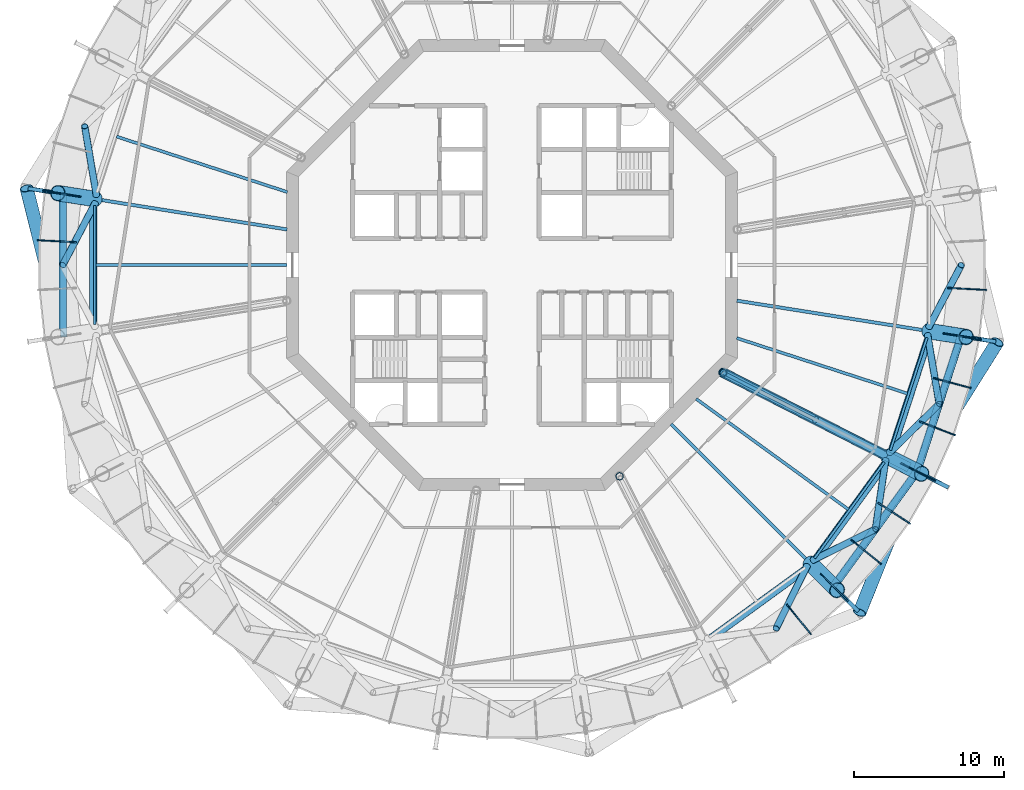
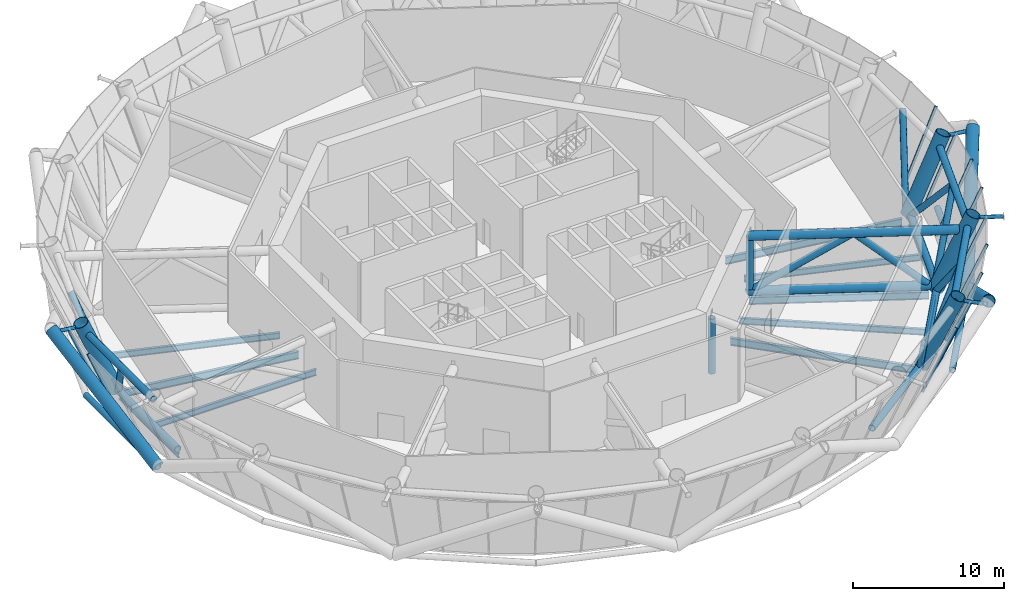
# One storey, part 3 of 20: 46 members, 11 beams, 5 elements without a shape of their own.
"""IFC4 building model written with IfcOpenShell, lengths in metres."""

from ifc_helpers import new_model, si_unit, direction, frame, origin, origin_2d, place, context, subcontext, project, spatial, rectangle, circle, hollow_circle, i_section, extrude, material, layer, layer_set, material_profile, profile_set, type_object, element, aggregate, save


model = new_model("IFC4")

# Units and contexts
model_context = context("Model", 3, precision=1e-05, world=origin(), true_north=direction((0.0, 1.0)))
body_context = subcontext(model_context, "Body", "Model", "MODEL_VIEW")
ifc_project = project(units=[si_unit("LENGTHUNIT", "METRE"), si_unit("AREAUNIT", "SQUARE_METRE"), si_unit("VOLUMEUNIT", "CUBIC_METRE"), si_unit("PLANEANGLEUNIT", "RADIAN"), si_unit("MASSUNIT", "GRAM", prefix="KILO")], contexts=[model_context])

# Site, building, storey
site_placement = place(None, origin())
site = spatial("IfcSite", under=ifc_project, at=site_placement, CompositionType="ELEMENT")
building_placement = place(site_placement, origin())
building = spatial("IfcBuilding", under=site, at=building_placement, Name="Entoto Ring Tower", CompositionType="ELEMENT")
storey_placement = place(building_placement, frame((0.0, 0.0, 330.0)))
storey = spatial("IfcBuildingStorey", under=building, at=storey_placement, Name="L76", CompositionType="ELEMENT", Elevation=330.0)

# Members
ifc_material_1 = material(Name="Steel S355", Category="steel")
ifc_material_profile_1 = material_profile(ifc_material_1, hollow_circle(Radius=0.449951171875, WallThickness=0.044921875, at=origin_2d()), Name="CHS 900 x 45")
ifc_material_2 = material(Name="Concrete C60/75", Category="concrete")
ifc_material_profile_2 = material_profile(ifc_material_2, circle(Radius=0.405029296875, at=origin_2d()), Name="Concrete C60/75 infill")
ifc_profile_set_1 = profile_set([ifc_material_profile_1, ifc_material_profile_2], Name="Steel S355")
member_type_1 = type_object("IfcMemberType", Name="Diagrid diagonal 900 x 45 concrete-filled tube", PredefinedType="BRACE", material=ifc_profile_set_1)
for number, where, z_axis, x_axis, name in (
    (1, (60.171875, 75.275634765625, 0.0), (-0.209498607785, 0.834845945044, 0.509060488919), (-0.969926946461, -0.243396217162, 0.0), "DG2 module 25 11"),
    (2, (116.908447265625, 66.28955078125, 0.0), (-0.321230348917, -0.798539539663, 0.50906351915), (0.927747969086, -0.373207322886, 0.0), "DG2 module 25 19"),
):
    element("IfcMember", number, at=place(storey_placement, frame(where, z_axis=z_axis, x_axis=x_axis)), inside=storey, type_object=member_type_1, Name=name, PredefinedType="BRACE", context=body_context, shape_type="SweptSolid", body=[
        extrude(hollow_circle(Radius=0.449951171875, WallThickness=0.044921875, at=origin_2d()), origin(), (0.0, 0.0, 1.0), 11.786376953125),
    ])
member_1_placement = place(storey_placement, frame((116.908447265625, 66.28955078125, 0.0), z_axis=(0.457223459156, 0.729241692547, 0.509070979578), x_axis=(-0.847241662915, 0.531207647366, 0.0)))
element("IfcMember", 3, at=member_1_placement, inside=storey, type_object=member_type_1, Name="DG2 module 25 20", PredefinedType="BRACE", context=body_context, shape_type="SweptSolid", body=[
    extrude(hollow_circle(Radius=0.449951171875, WallThickness=0.044921875, at=origin_2d()), origin(), (0.0, 0.0, 1.0), 11.7861328125),
])
ifc_material_3 = material(Name="Steel S355", Category="steel")
ifc_material_profile_3 = material_profile(ifc_material_3, hollow_circle(Radius=0.136474609375, WallThickness=0.012451171875, at=origin_2d()), Name="CHS 273 x 12.5")
ifc_material_4 = material(Name="Concrete C60/75", Category="concrete")
ifc_material_profile_4 = material_profile(ifc_material_4, circle(Radius=0.1240234375, at=origin_2d()), Name="Concrete C60/75 infill")
ifc_profile_set_2 = profile_set([ifc_material_profile_3, ifc_material_profile_4], Name="Steel S355")
member_type_2 = type_object("IfcMemberType", Name="Diagrid node strut 273 x 12.5", PredefinedType="STRUT", material=ifc_profile_set_2)
for number, where, z_axis, x_axis, name in (
    (4, (59.395751953125, 84.84716796875, 5.71337890625), (-0.987674522223, 0.156521685883, 0.0), (-0.156521685883, -0.987674522223, 0.0), "DS2 strut ring 25 09"),
    (5, (111.91015625, 58.08984375, 5.71337890625), (0.707106781187, -0.707106781187, 0.0), (0.707106781187, 0.707106781187, 0.0), "DS2 strut ring 25 17"),
    (6, (117.6083984375, 65.932861328125, 5.71337890625), (0.891014106181, -0.453975618933, 0.0), (0.453975618933, 0.891014106181, 0.0), "DS2 strut ring 25 18"),
    (7, (120.604248046875, 75.15283203125, 5.71337890625), (0.987674522223, -0.156521685883, 0.0), (0.156521685883, 0.987674522223, 0.0), "DS2 strut ring 25 19"),
):
    element("IfcMember", number, at=place(storey_placement, frame(where, z_axis=z_axis, x_axis=x_axis)), inside=storey, type_object=member_type_2, Name=name, PredefinedType="STRUT", context=body_context, shape_type="SweptSolid", body=[
        extrude(hollow_circle(Radius=0.136474609375, WallThickness=0.012451171875, at=origin_2d()), origin(), (0.0, 0.0, 1.0), 1.614501953125),
    ])
ifc_material_5 = material(Name="Steel S355", Category="steel")
ifc_material_profile_5 = material_profile(ifc_material_5, hollow_circle(Radius=0.228515625, WallThickness=0.02001953125, at=origin_2d()), Name="CHS 457 x 20")
ifc_material_6 = material(Name="Concrete C60/75", Category="concrete")
ifc_material_profile_6 = material_profile(ifc_material_6, circle(Radius=0.20849609375, at=origin_2d()), Name="Concrete C60/75 infill")
ifc_profile_set_3 = profile_set([ifc_material_profile_5, ifc_material_profile_6], Name="Steel S355")
member_type_3 = type_object("IfcMemberType", Name="Diagrid ring beam 457 x 20", PredefinedType="CHORD", material=ifc_profile_set_3)
for number, where, z_axis, x_axis, name in (
    (8, (60.171875, 84.780517578125, 0.0), (0.0, -1.0, 0.0), (1.0, 0.0, 0.0), "DR3 ring 24 10"),
    (9, (111.321533203125, 58.599853515625, 0.0), (0.587784468219, 0.809017564037, 0.0), (-0.809017564037, 0.587784468219, 0.0), "DR3 ring 24 18"),
    (10, (116.89111328125, 66.236083984375, 0.0), (0.309002348931, 0.951061274764, 0.0), (-0.951061274764, 0.309002348931, 0.0), "DR3 ring 24 19"),
):
    element("IfcMember", number, at=place(storey_placement, frame(where, z_axis=z_axis, x_axis=x_axis)), inside=storey, type_object=member_type_3, Name=name, PredefinedType="CHORD", context=body_context, shape_type="SweptSolid", body=[
        extrude(hollow_circle(Radius=0.228515625, WallThickness=0.02001953125, at=origin_2d()), origin(), (0.0, 0.0, 1.0), 9.56103515625),
    ])

# Beams
ifc_material_7 = material(Name="Steel S355", Category="steel")
ifc_material_profile_7 = material_profile(ifc_material_7, i_section(OverallWidth=0.169921875, OverallDepth=0.360107421875, WebThickness=0.008056640625, FlangeThickness=0.0126953125, FilletRadius=0.01806640625, at=origin_2d()), Name="IPE 360")
ifc_profile_set_4 = profile_set([ifc_material_profile_7], Name="Steel S355")
beam_type_1 = type_object("IfcBeamType", Name="Edge beam IPE 360", PredefinedType="SPANDREL", material=ifc_profile_set_4)
beam_1_placement = place(storey_placement, frame((62.245849609375, 83.948486328125, -0.330078125), z_axis=(0.0, -1.0, 0.0), x_axis=(1.0, 0.0, 0.0)))
element("IfcBeam", 11, at=beam_1_placement, inside=storey, type_object=beam_type_1, Name="Edge beam L76 10", PredefinedType="SPANDREL", context=body_context, shape_type="SweptSolid", body=[
    extrude(i_section(OverallWidth=0.169921875, OverallDepth=0.360107421875, WebThickness=0.008056640625, FlangeThickness=0.0126953125, FilletRadius=0.01806640625, at=origin_2d()), origin(), (0.0, 0.0, 1.0), 7.89697265625),
])
beam_2_placement = place(storey_placement, frame((110.132568359375, 60.4921875, -0.330078125), z_axis=(0.587787449408, 0.809015398073, 0.0), x_axis=(-0.809015398073, 0.587787449408, 0.0)))
element("IfcBeam", 12, at=beam_2_placement, inside=storey, type_object=beam_type_1, Name="Edge beam L76 18", PredefinedType="SPANDREL", context=body_context, shape_type="SweptSolid", body=[
    extrude(i_section(OverallWidth=0.169921875, OverallDepth=0.360107421875, WebThickness=0.008056640625, FlangeThickness=0.0126953125, FilletRadius=0.01806640625, at=origin_2d()), origin(), (0.0, 0.0, 1.0), 7.897216796875),
])
beam_3_placement = place(storey_placement, frame((115.175537109375, 67.668212890625, -0.330078125), z_axis=(0.309002883506, 0.951061101079, 0.0), x_axis=(-0.951061101079, 0.309002883506, 0.0)))
element("IfcBeam", 13, at=beam_3_placement, inside=storey, type_object=beam_type_1, Name="Edge beam L76 19", PredefinedType="SPANDREL", context=body_context, shape_type="SweptSolid", body=[
    extrude(i_section(OverallWidth=0.169921875, OverallDepth=0.360107421875, WebThickness=0.008056640625, FlangeThickness=0.0126953125, FilletRadius=0.01806640625, at=origin_2d()), origin(), (0.0, 0.0, 1.0), 7.89697265625),
])

# Curtain wall, members
ifc_material_8 = material(Name="Anodised aluminium", Category="aluminium")
ifc_layer = layer(ifc_material_8, 0.10009765625)
ifc_layer_set = layer_set([ifc_layer], Name="Anodised aluminium")
curtain_wall_type = type_object("IfcCurtainWallType", Name="Louvre curtain wall system CW7", PredefinedType="NOTDEFINED", material=ifc_layer_set)
curtain_wall_1_placement = place(storey_placement, origin())
curtain_wall_1 = element("IfcCurtainWall", 14, at=curtain_wall_1_placement, inside=storey, type_object=curtain_wall_type, Name="CW7 L76-10", PredefinedType="NOTDEFINED")
ifc_material_9 = material(Name="Anodised aluminium", Category="aluminium")
ifc_material_profile_8 = material_profile(ifc_material_9, rectangle(XDim=0.080078125, YDim=0.199951171875, at=origin_2d()), Name="Mullion 80 x 200 mm anodised aluminium")
ifc_profile_set_5 = profile_set([ifc_material_profile_8], Name="Anodised aluminium")
member_type_4 = type_object("IfcMemberType", Name="Mullion 80 x 200 mm anodised aluminium", PredefinedType="MULLION", material=ifc_profile_set_5)
member_2_placement = place(storey_placement, frame((61.234130859375, 84.55615234375, 0.03857421875), z_axis=(-0.379873712431, 0.060156755817, 0.923080238838), x_axis=(-0.156410801358, -0.987692088264, 0.0)))
member_2 = element("IfcMember", 15, at=member_2_placement, type_object=member_type_4, Name="MULLION L76-27", PredefinedType="MULLION", context=body_context, shape_type="SweptSolid", body=[
    extrude(rectangle(XDim=0.080078125, YDim=0.199951171875, at=origin_2d()), origin(), (0.0, 0.0, 1.0), 6.25390625),
])
member_3_placement = place(storey_placement, frame((60.91552734375, 81.524169921875, 0.03857421875), z_axis=(-0.3840882574, 0.020143260577, 0.923076627145), x_axis=(-0.052372380789, -0.998627625159, 0.0)))
member_3 = element("IfcMember", 16, at=member_3_placement, type_object=member_type_4, Name="MULLION L76-28", PredefinedType="MULLION", context=body_context, shape_type="SweptSolid", body=[
    extrude(rectangle(XDim=0.080078125, YDim=0.199951171875, at=origin_2d()), origin(), (0.0, 0.0, 1.0), 6.254150390625),
])
aggregate(curtain_wall_1, [member_2, member_3])

# Curtain wall, member
curtain_wall_2_placement = place(storey_placement, origin())
curtain_wall_2 = element("IfcCurtainWall", 17, at=curtain_wall_2_placement, inside=storey, type_object=curtain_wall_type, Name="CW7 L76-17", PredefinedType="NOTDEFINED")
member_4_placement = place(storey_placement, frame((108.32861328125, 57.3662109375, 0.03857421875), z_axis=(0.242031891748, -0.298909386308, 0.923078405204), x_axis=(0.777171592091, 0.629288738535, 0.0)))
member_4 = element("IfcMember", 18, at=member_4_placement, type_object=member_type_4, Name="MULLION L76-50", PredefinedType="MULLION", context=body_context, shape_type="SweptSolid", body=[
    extrude(rectangle(XDim=0.080078125, YDim=0.199951171875, at=origin_2d()), origin(), (0.0, 0.0, 1.0), 6.25390625),
])
aggregate(curtain_wall_2, [member_4])

# Curtain wall, members
curtain_wall_3_placement = place(storey_placement, origin())
curtain_wall_3 = element("IfcCurtainWall", 19, at=curtain_wall_3_placement, inside=storey, type_object=curtain_wall_type, Name="CW7 L76-18", PredefinedType="NOTDEFINED")
member_5_placement = place(storey_placement, frame((110.593994140625, 59.406005859375, 0.03857421875), z_axis=(0.271971811529, -0.271971811529, 0.923072406405), x_axis=(0.707106781187, 0.707106781187, 0.0)))
member_5 = element("IfcMember", 20, at=member_5_placement, type_object=member_type_4, Name="MULLION L76-51", PredefinedType="MULLION", context=body_context, shape_type="SweptSolid", body=[
    extrude(rectangle(XDim=0.080078125, YDim=0.199951171875, at=origin_2d()), origin(), (0.0, 0.0, 1.0), 6.254150390625),
])
member_6_placement = place(storey_placement, frame((112.6337890625, 61.67138671875, 0.03857421875), z_axis=(0.298909386308, -0.242031891748, 0.923078405204), x_axis=(0.629288738535, 0.777171592091, 0.0)))
member_6 = element("IfcMember", 21, at=member_6_placement, type_object=member_type_4, Name="MULLION L76-52", PredefinedType="MULLION", context=body_context, shape_type="SweptSolid", body=[
    extrude(rectangle(XDim=0.080078125, YDim=0.199951171875, at=origin_2d()), origin(), (0.0, 0.0, 1.0), 6.25390625),
])
member_7_placement = place(storey_placement, frame((114.42578125, 64.1376953125, 0.03857421875), z_axis=(0.322565689083, -0.209474462982, 0.923077367064), x_axis=(0.544635112654, 0.838673115143, 0.0)))
member_7 = element("IfcMember", 22, at=member_7_placement, type_object=member_type_4, Name="MULLION L76-53", PredefinedType="MULLION", context=body_context, shape_type="SweptSolid", body=[
    extrude(rectangle(XDim=0.080078125, YDim=0.199951171875, at=origin_2d()), origin(), (0.0, 0.0, 1.0), 6.25390625),
])
aggregate(curtain_wall_3, [member_5, member_6, member_7])

curtain_wall_4_placement = place(storey_placement, origin())
curtain_wall_4 = element("IfcCurtainWall", 23, at=curtain_wall_4_placement, inside=storey, type_object=curtain_wall_type, Name="CW7 L76-19", PredefinedType="NOTDEFINED")
member_8_placement = place(storey_placement, frame((115.949951171875, 66.77783203125, 0.03857421875), z_axis=(0.342707021712, -0.174613111757, 0.923072130698), x_axis=(0.453980514773, 0.891011611713, 0.0)))
member_8 = element("IfcMember", 24, at=member_8_placement, type_object=member_type_4, Name="MULLION L76-54", PredefinedType="MULLION", context=body_context, shape_type="SweptSolid", body=[
    extrude(rectangle(XDim=0.080078125, YDim=0.199951171875, at=origin_2d()), origin(), (0.0, 0.0, 1.0), 6.254150390625),
])
member_9_placement = place(storey_placement, frame((117.18994140625, 69.562744140625, 0.03857421875), z_axis=(0.359065607861, -0.137840906866, 0.92307733893), x_axis=(0.358387287841, 0.933573002991, 0.0)))
member_9 = element("IfcMember", 25, at=member_9_placement, type_object=member_type_4, Name="MULLION L76-55", PredefinedType="MULLION", context=body_context, shape_type="SweptSolid", body=[
    extrude(rectangle(XDim=0.080078125, YDim=0.199951171875, at=origin_2d()), origin(), (0.0, 0.0, 1.0), 6.25390625),
])
member_10_placement = place(storey_placement, frame((118.132080078125, 72.462158203125, 0.03857421875), z_axis=(0.371517215719, -0.099544909119, 0.923074086676), x_axis=(0.258812183003, 0.965927664957, 0.0)))
member_10 = element("IfcMember", 26, at=member_10_placement, type_object=member_type_4, Name="MULLION L76-56", PredefinedType="MULLION", context=body_context, shape_type="SweptSolid", body=[
    extrude(rectangle(XDim=0.080078125, YDim=0.199951171875, at=origin_2d()), origin(), (0.0, 0.0, 1.0), 6.254150390625),
])
aggregate(curtain_wall_4, [member_8, member_9, member_10])

curtain_wall_5_placement = place(storey_placement, origin())
curtain_wall_5 = element("IfcCurtainWall", 27, at=curtain_wall_5_placement, inside=storey, type_object=curtain_wall_type, Name="CW7 L76-20", PredefinedType="NOTDEFINED")
member_11_placement = place(storey_placement, frame((118.765869140625, 75.44384765625, 0.03857421875), z_axis=(0.379873712431, -0.060156755817, 0.923080238838), x_axis=(0.156410801358, 0.987692088264, 0.0)))
member_11 = element("IfcMember", 28, at=member_11_placement, type_object=member_type_4, Name="MULLION L76-57", PredefinedType="MULLION", context=body_context, shape_type="SweptSolid", body=[
    extrude(rectangle(XDim=0.080078125, YDim=0.199951171875, at=origin_2d()), origin(), (0.0, 0.0, 1.0), 6.25390625),
])
member_12_placement = place(storey_placement, frame((119.08447265625, 78.475830078125, 0.03857421875), z_axis=(0.3840882574, -0.020143260577, 0.923076627145), x_axis=(0.052372380789, 0.998627625159, 0.0)))
member_12 = element("IfcMember", 29, at=member_12_placement, type_object=member_type_4, Name="MULLION L76-58", PredefinedType="MULLION", context=body_context, shape_type="SweptSolid", body=[
    extrude(rectangle(XDim=0.080078125, YDim=0.199951171875, at=origin_2d()), origin(), (0.0, 0.0, 1.0), 6.254150390625),
])
aggregate(curtain_wall_5, [member_11, member_12])

# Members
ifc_material_10 = material(Name="Steel S355", Category="steel")
ifc_material_profile_9 = material_profile(ifc_material_10, hollow_circle(Radius=0.330078125, WallThickness=0.031982421875, at=origin_2d()), Name="CHS 660 x 32")
ifc_material_11 = material(Name="Concrete C60/75", Category="concrete")
ifc_material_profile_10 = material_profile(ifc_material_11, circle(Radius=0.298095703125, at=origin_2d()), Name="Concrete C60/75 infill")
ifc_profile_set_6 = profile_set([ifc_material_profile_9, ifc_material_profile_10], Name="Steel S355")
member_type_5 = type_object("IfcMemberType", Name="Outrigger chord 660 x 32", PredefinedType="CHORD", material=ifc_profile_set_6)
member_13_placement = place(storey_placement, frame((103.939453125, 72.8974609375, 0.330078125), z_axis=(0.891003212589, -0.453996999061, 0.0), x_axis=(0.453996999061, 0.891003212589, 0.0)))
element("IfcMember", 30, at=member_13_placement, inside=storey, type_object=member_type_5, Name="OR1C L76 bottom 10", PredefinedType="CHORD", context=body_context, shape_type="SweptSolid", body=[
    extrude(hollow_circle(Radius=0.330078125, WallThickness=0.031982421875, at=origin_2d()), origin(), (0.0, 0.0, 1.0), 12.170654296875),
])
member_14_placement = place(storey_placement, frame((103.939453125, 72.8974609375, 4.76708984375), z_axis=(0.891012650005, -0.453978476947, 0.0), x_axis=(0.453978476947, 0.891012650005, 0.0)))
element("IfcMember", 31, at=member_14_placement, inside=storey, type_object=member_type_5, Name="OR1C L76 top 10", PredefinedType="CHORD", context=body_context, shape_type="SweptSolid", body=[
    extrude(hollow_circle(Radius=0.330078125, WallThickness=0.031982421875, at=origin_2d()), origin(), (0.0, 0.0, 1.0), 14.019287109375),
])
ifc_material_12 = material(Name="Steel S355", Category="steel")
ifc_material_profile_11 = material_profile(ifc_material_12, hollow_circle(Radius=0.25390625, WallThickness=0.030029296875, at=origin_2d()), Name="CHS 508 x 30")
ifc_material_13 = material(Name="Concrete C60/75", Category="concrete")
ifc_material_profile_12 = material_profile(ifc_material_13, circle(Radius=0.22412109375, at=origin_2d()), Name="Concrete C60/75 infill")
ifc_profile_set_7 = profile_set([ifc_material_profile_11, ifc_material_profile_12], Name="Steel S355")
member_type_6 = type_object("IfcMemberType", Name="Outrigger diagonal 508 x 30", PredefinedType="BRACE", material=ifc_profile_set_7)
member_15_placement = place(storey_placement, frame((103.89501953125, 72.920166015625, 0.216064453125), z_axis=(0.749255528325, -0.381783852649, 0.541162861929), x_axis=(0.454008524746, 0.890997339759, 0.0)))
element("IfcMember", 32, at=member_15_placement, inside=storey, type_object=member_type_6, Name="OR2B L76 10 1", PredefinedType="BRACE", context=body_context, shape_type="SweptSolid", body=[
    extrude(hollow_circle(Radius=0.25390625, WallThickness=0.030029296875, at=origin_2d()), origin(), (0.0, 0.0, 1.0), 8.40966796875),
])
member_16_placement = place(storey_placement, frame((110.196044921875, 69.70947265625, 4.76708984375), z_axis=(0.669119236273, -0.340906756694, -0.660349930635), x_axis=(0.453962460183, 0.8910208105, 0.0)))
element("IfcMember", 33, at=member_16_placement, inside=storey, type_object=member_type_6, Name="OR2B L76 10 2", PredefinedType="BRACE", context=body_context, shape_type="SweptSolid", body=[
    extrude(hollow_circle(Radius=0.25390625, WallThickness=0.030029296875, at=origin_2d()), origin(), (0.0, 0.0, 1.0), 6.904296875),
])
ifc_material_14 = material(Name="Steel S355", Category="steel")
ifc_material_profile_13 = material_profile(ifc_material_14, hollow_circle(Radius=0.25390625, WallThickness=0.030029296875, at=origin_2d()), Name="CHS 508 x 30")
ifc_material_15 = material(Name="Concrete C60/75", Category="concrete")
ifc_material_profile_14 = material_profile(ifc_material_15, circle(Radius=0.22412109375, at=origin_2d()), Name="Concrete C60/75 infill")
ifc_profile_set_8 = profile_set([ifc_material_profile_13, ifc_material_profile_14], Name="Steel S355")
member_type_7 = type_object("IfcMemberType", Name="Outrigger post 508 x 30", PredefinedType="POST", material=ifc_profile_set_8)
for number, where, z_axis, x_axis, name in (
    (34, (97.160400390625, 65.947021484375, 0.330078125), (0.0, 0.0, 1.0), (1.0, 0.0, 0.0), "OR3 L76 09"),
    (35, (104.052978515625, 72.839599609375, 0.330078125), (0.0, 0.0, 1.0), (1.0, 0.0, 0.0), "OR3 L76 10"),
):
    element("IfcMember", number, at=place(storey_placement, frame(where, z_axis=z_axis, x_axis=x_axis)), inside=storey, type_object=member_type_7, Name=name, PredefinedType="POST", context=body_context, shape_type="SweptSolid", body=[
        extrude(hollow_circle(Radius=0.25390625, WallThickness=0.030029296875, at=origin_2d()), origin(), (0.0, 0.0, 1.0), 4.43701171875),
    ])

# Beams
ifc_material_16 = material(Name="Steel S355", Category="steel")
ifc_material_profile_15 = material_profile(ifc_material_16, i_section(OverallWidth=0.219970703125, OverallDepth=0.60009765625, WebThickness=0.011962890625, FlangeThickness=0.01904296875, FilletRadius=0.02392578125, at=origin_2d()), Name="IPE 600")
ifc_profile_set_9 = profile_set([ifc_material_profile_15], Name="Steel S355")
beam_type_2 = type_object("IfcBeamType", Name="Primary floor beam IPE 600", PredefinedType="BEAM", material=ifc_profile_set_9)
beam_4_placement = place(storey_placement, frame((75.036865234375, 82.369873046875, -0.449951171875), z_axis=(-0.987687519796, 0.156439647277, 0.0), x_axis=(-0.156439647277, -0.987687519796, 0.0)))
element("IfcBeam", 36, at=beam_4_placement, inside=storey, type_object=beam_type_2, Name="Primary L76 R10", PredefinedType="BEAM", context=body_context, shape_type="SweptSolid", body=[
    extrude(i_section(OverallWidth=0.219970703125, OverallDepth=0.60009765625, WebThickness=0.011962890625, FlangeThickness=0.01904296875, FilletRadius=0.02392578125, at=origin_2d()), origin(), (0.0, 0.0, 1.0), 12.50830078125),
])
beam_5_placement = place(storey_placement, frame((100.592529296875, 69.407470703125, -0.449951171875), z_axis=(0.707106781187, -0.707106781187, 0.0), x_axis=(0.707106781187, 0.707106781187, 0.0)))
element("IfcBeam", 37, at=beam_5_placement, inside=storey, type_object=beam_type_2, Name="Primary L76 R18", PredefinedType="BEAM", context=body_context, shape_type="SweptSolid", body=[
    extrude(i_section(OverallWidth=0.219970703125, OverallDepth=0.60009765625, WebThickness=0.011962890625, FlangeThickness=0.01904296875, FilletRadius=0.02392578125, at=origin_2d()), origin(), (0.0, 0.0, 1.0), 12.677978515625),
])
beam_6_placement = place(storey_placement, frame((104.003173828125, 72.864990234375, -0.449951171875), z_axis=(0.891007666593, -0.453988257638, 0.0), x_axis=(0.453988257638, 0.891007666593, 0.0)))
element("IfcBeam", 38, at=beam_6_placement, inside=storey, type_object=beam_type_2, Name="Primary L76 R19", PredefinedType="BEAM", context=body_context, shape_type="SweptSolid", body=[
    extrude(i_section(OverallWidth=0.219970703125, OverallDepth=0.60009765625, WebThickness=0.011962890625, FlangeThickness=0.01904296875, FilletRadius=0.02392578125, at=origin_2d()), origin(), (0.0, 0.0, 1.0), 11.941650390625),
])
beam_7_placement = place(storey_placement, frame((104.963134765625, 77.630126953125, -0.449951171875), z_axis=(0.987687519796, -0.156439647277, 0.0), x_axis=(0.156439647277, 0.987687519796, 0.0)))
element("IfcBeam", 39, at=beam_7_placement, inside=storey, type_object=beam_type_2, Name="Primary L76 R20", PredefinedType="BEAM", context=body_context, shape_type="SweptSolid", body=[
    extrude(i_section(OverallWidth=0.219970703125, OverallDepth=0.60009765625, WebThickness=0.011962890625, FlangeThickness=0.01904296875, FilletRadius=0.02392578125, at=origin_2d()), origin(), (0.0, 0.0, 1.0), 12.50830078125),
])

# Members
ifc_material_17 = material(Name="Steel S355", Category="steel")
ifc_material_profile_16 = material_profile(ifc_material_17, hollow_circle(Radius=0.52490234375, WallThickness=0.0400390625, at=origin_2d()), Name="CHS 1050 x 40")
ifc_material_18 = material(Name="Concrete C60/75", Category="concrete")
ifc_material_profile_17 = material_profile(ifc_material_18, circle(Radius=0.485107421875, at=origin_2d()), Name="Concrete C60/75 infill")
ifc_profile_set_10 = profile_set([ifc_material_profile_16, ifc_material_profile_17], Name="Steel S355")
member_type_8 = type_object("IfcMemberType", Name="Ring column jog 1050 x 40 concrete-filled tube", PredefinedType="STRUT", material=ifc_profile_set_10)
for number, where, z_axis, x_axis, name in (
    (40, (62.245849609375, 84.395751953125, 0.0), (-0.379850189746, 0.060172056163, 0.923088921506), (-0.156459060658, -0.987684444718, 0.0), "RJ5B R10"),
    (41, (109.86962890625, 60.13037109375, 0.0), (0.271971397377, -0.271971397377, 0.923072650455), (0.707106781187, 0.707106781187, 0.0), "RJ5B R18"),
    (42, (115.037353515625, 67.242919921875, 0.0), (0.342697597672, -0.174616520339, 0.923074984698), (0.453997461601, 0.891002976909, 0.0), "RJ5B R19"),
    (43, (117.754150390625, 75.604248046875, 0.0), (0.379850189746, -0.060172056163, 0.923088921506), (0.156459060658, 0.987684444718, 0.0), "RJ5B R20"),
):
    element("IfcMember", number, at=place(storey_placement, frame(where, z_axis=z_axis, x_axis=x_axis)), inside=storey, type_object=member_type_8, Name=name, PredefinedType="STRUT", context=body_context, shape_type="SweptSolid", body=[
        extrude(hollow_circle(Radius=0.52490234375, WallThickness=0.0400390625, at=origin_2d()), origin(), (0.0, 0.0, 1.0), 6.5),
    ])
ifc_material_19 = material(Name="Steel S355", Category="steel")
ifc_material_profile_18 = material_profile(ifc_material_19, hollow_circle(Radius=0.25390625, WallThickness=0.030029296875, at=origin_2d()), Name="CHS 508 x 30")
ifc_material_20 = material(Name="Concrete C60/75", Category="concrete")
ifc_material_profile_19 = material_profile(ifc_material_20, circle(Radius=0.22412109375, at=origin_2d()), Name="Concrete C60/75 infill")
ifc_profile_set_11 = profile_set([ifc_material_profile_18, ifc_material_profile_19], Name="Steel S355")
member_type_9 = type_object("IfcMemberType", Name="Ring truss chord 508 x 30", PredefinedType="CHORD", material=ifc_profile_set_11)
member_17_placement = place(storey_placement, frame((62.141357421875, 83.9677734375, 0.25390625), z_axis=(0.0, -1.0, 0.0), x_axis=(1.0, 0.0, 0.0)))
element("IfcMember", 44, at=member_17_placement, inside=storey, type_object=member_type_9, Name="BT1 L76 bottom 10", PredefinedType="CHORD", context=body_context, shape_type="SweptSolid", body=[
    extrude(hollow_circle(Radius=0.25390625, WallThickness=0.030029296875, at=origin_2d()), origin(), (0.0, 0.0, 1.0), 7.935546875),
])
member_18_placement = place(storey_placement, frame((60.107666015625, 84.2900390625, 5.196044921875), z_axis=(0.0, -1.0, 0.0), x_axis=(1.0, 0.0, 0.0)))
element("IfcMember", 45, at=member_18_placement, inside=storey, type_object=member_type_9, Name="BT1 L76 top 10", PredefinedType="CHORD", context=body_context, shape_type="SweptSolid", body=[
    extrude(hollow_circle(Radius=0.25390625, WallThickness=0.030029296875, at=origin_2d()), origin(), (0.0, 0.0, 1.0), 8.580078125),
])
for number, where, z_axis, x_axis, name in (
    (46, (103.164794921875, 55.129638671875, 0.25390625), (0.809015368444, 0.587787490188, 0.0), (-0.587787490188, 0.809015368444, 0.0), "BT1 L76 bottom 17"),
    (47, (110.205810546875, 60.4150390625, 0.25390625), (0.587787490188, 0.809015368444, 0.0), (-0.809015368444, 0.587787490188, 0.0), "BT1 L76 bottom 18"),
):
    element("IfcMember", number, at=place(storey_placement, frame(where, z_axis=z_axis, x_axis=x_axis)), inside=storey, type_object=member_type_9, Name=name, PredefinedType="CHORD", context=body_context, shape_type="SweptSolid", body=[
        extrude(hollow_circle(Radius=0.25390625, WallThickness=0.030029296875, at=origin_2d()), origin(), (0.0, 0.0, 1.0), 7.935791015625),
    ])
member_19_placement = place(storey_placement, frame((111.661865234375, 58.958984375, 5.196044921875), z_axis=(0.587784187831, 0.80901776775, 0.0), x_axis=(-0.80901776775, 0.587784187831, 0.0)))
element("IfcMember", 48, at=member_19_placement, inside=storey, type_object=member_type_9, Name="BT1 L76 top 18", PredefinedType="CHORD", context=body_context, shape_type="SweptSolid", body=[
    extrude(hollow_circle(Radius=0.25390625, WallThickness=0.030029296875, at=origin_2d()), origin(), (0.0, 0.0, 1.0), 8.580078125),
])
member_20_placement = place(storey_placement, frame((115.26904296875, 67.61767578125, 0.25390625), z_axis=(0.309010244188, 0.951058709537, 0.0), x_axis=(-0.951058709537, 0.309010244188, 0.0)))
element("IfcMember", 49, at=member_20_placement, inside=storey, type_object=member_type_9, Name="BT1 L76 bottom 19", PredefinedType="CHORD", context=body_context, shape_type="SweptSolid", body=[
    extrude(hollow_circle(Radius=0.25390625, WallThickness=0.030029296875, at=origin_2d()), origin(), (0.0, 0.0, 1.0), 7.935546875),
])
member_21_placement = place(storey_placement, frame((117.103759765625, 66.6826171875, 5.196044921875), z_axis=(0.309014010742, 0.951057485731, 0.0), x_axis=(-0.951057485731, 0.309014010742, 0.0)))
element("IfcMember", 50, at=member_21_placement, inside=storey, type_object=member_type_9, Name="BT1 L76 top 19", PredefinedType="CHORD", context=body_context, shape_type="SweptSolid", body=[
    extrude(hollow_circle(Radius=0.25390625, WallThickness=0.030029296875, at=origin_2d()), origin(), (0.0, 0.0, 1.0), 8.580078125),
])
ifc_material_21 = material(Name="Steel S355", Category="steel")
ifc_material_profile_20 = material_profile(ifc_material_21, hollow_circle(Radius=0.228515625, WallThickness=0.02001953125, at=origin_2d()), Name="CHS 457 x 20")
ifc_material_22 = material(Name="Concrete C60/75", Category="concrete")
ifc_material_profile_21 = material_profile(ifc_material_22, circle(Radius=0.20849609375, at=origin_2d()), Name="Concrete C60/75 infill")
ifc_profile_set_12 = profile_set([ifc_material_profile_20, ifc_material_profile_21], Name="Steel S355")
member_type_10 = type_object("IfcMemberType", Name="Ring truss diagonal 457 x 20", PredefinedType="BRACE", material=ifc_profile_set_12)
for number, where, z_axis, x_axis, name in (
    (51, (61.570556640625, 89.2373046875, 5.196044921875), (0.110943414019, -0.654555666471, -0.747829150526), (0.98593811697, 0.167110830005, 0.0), "BT2 L76 09 b"),
    (52, (62.25927734375, 84.112548828125, -0.0322265625), (-0.307758577328, -0.588243870997, 0.747832739531), (0.886059988459, -0.463570595327, 0.0), "BT2 L76 10 a"),
    (53, (107.5703125, 55.816650390625, 5.196044921875), (0.295012299733, 0.59473892954, -0.747832433568), (-0.895842900287, 0.444370901393, 0.0), "BT2 L76 17 b"),
    (54, (110.025390625, 60.3671875, -0.0322265625), (0.59473892954, 0.295012299733, 0.747832433568), (-0.444370901393, 0.895842900287, 0.0), "BT2 L76 18 a"),
    (55, (114.183349609375, 62.4296875, 5.196044921875), (0.096800841026, 0.65679300794, -0.747831894143), (-0.989312764597, 0.145808963391, 0.0), "BT2 L76 18 b"),
    (56, (115.112060546875, 67.516357421875, -0.0322265625), (0.474500182482, 0.464338307806, 0.747823182797), (-0.699412173508, 0.714718554082, 0.0), "BT2 L76 19 a"),
    (57, (118.429443359375, 70.7626953125, 5.196044921875), (-0.110943414019, 0.654555666471, -0.747829150526), (-0.98593811697, -0.167110830005, 0.0), "BT2 L76 19 b"),
    (58, (117.74072265625, 75.887451171875, -0.0322265625), (0.307758577328, 0.588243870997, 0.747832739531), (-0.886059988459, 0.463570595327, 0.0), "BT2 L76 20 a"),
):
    element("IfcMember", number, at=place(storey_placement, frame(where, z_axis=z_axis, x_axis=x_axis)), inside=storey, type_object=member_type_10, Name=name, PredefinedType="BRACE", context=body_context, shape_type="SweptSolid", body=[
        extrude(hollow_circle(Radius=0.228515625, WallThickness=0.02001953125, at=origin_2d()), origin(), (0.0, 0.0, 1.0), 6.9912109375),
    ])

# Beams
ifc_material_23 = material(Name="Steel S355", Category="steel")
ifc_material_profile_22 = material_profile(ifc_material_23, i_section(OverallWidth=0.199951171875, OverallDepth=0.5, WebThickness=0.01025390625, FlangeThickness=0.01611328125, FilletRadius=0.02099609375, at=origin_2d()), Name="IPE 500")
ifc_profile_set_13 = profile_set([ifc_material_profile_22], Name="Steel S355")
beam_type_3 = type_object("IfcBeamType", Name="Secondary floor beam IPE 500", PredefinedType="JOIST", material=ifc_profile_set_13)
beam_8_placement = place(storey_placement, frame((75.0498046875, 84.857666015625, -0.39990234375), z_axis=(-0.951056587506, 0.30901677521, 0.0), x_axis=(-0.30901677521, -0.951056587506, 0.0)))
element("IfcBeam", 59, at=beam_8_placement, inside=storey, type_object=beam_type_3, Name="Secondary beam L76 09", PredefinedType="JOIST", context=body_context, shape_type="SweptSolid", body=[
    extrude(i_section(OverallWidth=0.199951171875, OverallDepth=0.5, WebThickness=0.01025390625, FlangeThickness=0.01611328125, FilletRadius=0.02099609375, at=origin_2d()), origin(), (0.0, 0.0, 1.0), 11.94970703125),
])
beam_9_placement = place(storey_placement, frame((75.02001953125, 80.0, -0.39990234375), z_axis=(-1.0, 0.0, 0.0), x_axis=(0.0, -1.0, 0.0)))
element("IfcBeam", 60, at=beam_9_placement, inside=storey, type_object=beam_type_3, Name="Secondary beam L76 10", PredefinedType="JOIST", context=body_context, shape_type="SweptSolid", body=[
    extrude(i_section(OverallWidth=0.199951171875, OverallDepth=0.5, WebThickness=0.01025390625, FlangeThickness=0.01611328125, FilletRadius=0.02099609375, at=origin_2d()), origin(), (0.0, 0.0, 1.0), 12.68896484375),
])
beam_10_placement = place(storey_placement, frame((102.257568359375, 71.094482421875, -0.39990234375), z_axis=(0.80901431041, -0.587788946436, 0.0), x_axis=(0.587788946436, 0.80901431041, 0.0)))
element("IfcBeam", 61, at=beam_10_placement, inside=storey, type_object=beam_type_3, Name="Secondary beam L76 18", PredefinedType="JOIST", context=body_context, shape_type="SweptSolid", body=[
    extrude(i_section(OverallWidth=0.199951171875, OverallDepth=0.5, WebThickness=0.01025390625, FlangeThickness=0.01611328125, FilletRadius=0.02099609375, at=origin_2d()), origin(), (0.0, 0.0, 1.0), 12.51806640625),
])
beam_11_placement = place(storey_placement, frame((104.9501953125, 75.142333984375, -0.39990234375), z_axis=(0.951056587506, -0.30901677521, 0.0), x_axis=(0.30901677521, 0.951056587506, 0.0)))
element("IfcBeam", 62, at=beam_11_placement, inside=storey, type_object=beam_type_3, Name="Secondary beam L76 19", PredefinedType="JOIST", context=body_context, shape_type="SweptSolid", body=[
    extrude(i_section(OverallWidth=0.199951171875, OverallDepth=0.5, WebThickness=0.01025390625, FlangeThickness=0.01611328125, FilletRadius=0.02099609375, at=origin_2d()), origin(), (0.0, 0.0, 1.0), 11.94970703125),
])

save(model, "model.ifc")
